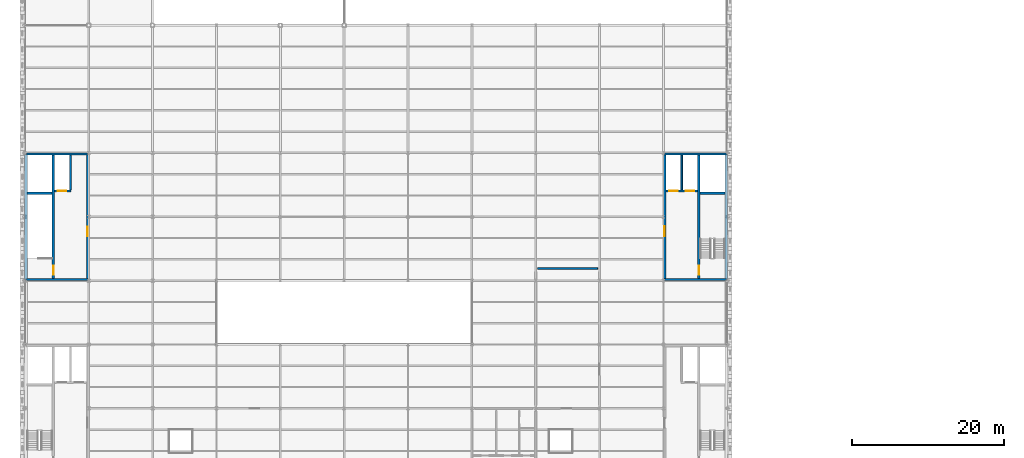
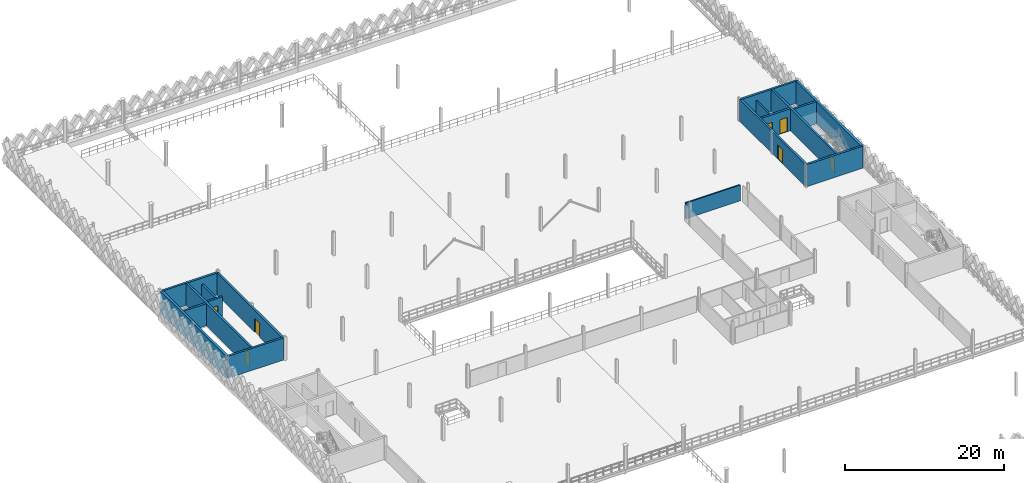
# One storey, part 41 of 47: 17 walls, 7 doors, 7 openings.
"""IFC4 building model written with IfcOpenShell, lengths in metres."""

from ifc_helpers import new_model, si_unit, direction, frame, frame_2d, origin, place, context, subcontext, project, spatial, rectangle, extrude, material, layer, layer_set, type_object, element, fill, save


model = new_model("IFC4")

# Units and contexts
model_context = context("Model", 3, precision=1e-05, world=origin(), true_north=direction((0.0, 1.0)))
body_context = subcontext(model_context, "Body", "Model", "MODEL_VIEW")
ifc_project = project(units=[si_unit("LENGTHUNIT", "METRE"), si_unit("AREAUNIT", "SQUARE_METRE"), si_unit("VOLUMEUNIT", "CUBIC_METRE"), si_unit("PLANEANGLEUNIT", "RADIAN"), si_unit("MASSUNIT", "GRAM", prefix="KILO"), si_unit("THERMODYNAMICTEMPERATUREUNIT", "KELVIN"), si_unit("POWERUNIT", "WATT")], contexts=[model_context])

# Site, building, storey
site_placement = place(None, origin())
site = spatial("IfcSite", under=ifc_project, at=site_placement, CompositionType="ELEMENT")
building_placement = place(site_placement, origin())
building = spatial("IfcBuilding", under=site, at=building_placement, Name="Tembeka Court Mobility Hub", CompositionType="ELEMENT")
storey_placement = place(building_placement, frame((0.0, 0.0, 19.800048828125)))
storey = spatial("IfcBuildingStorey", under=building, at=storey_placement, Name="L05", CompositionType="ELEMENT", Elevation=19.800048828125)

# Walls
ifc_material_1 = material(Name="Concrete C40/50", Category="concrete")
ifc_layer_1 = layer(ifc_material_1, 0.25)
ifc_layer_set_1 = layer_set([ifc_layer_1], Name="Concrete C40/50")
wall_type_1 = type_object("IfcWallType", Name="WL-IW01", PredefinedType="PARTITIONING", material=ifc_layer_set_1)
for number, where, z_axis, x_axis, name in (
    (1, (86.39990234375, 75.550048828125, 0.0), (0.0, 0.0, 1.0), (0.0, 1.0, 0.0), "Wall IW01 (IW-L05-0120)"),
    (2, (6.0, 75.550048828125, 0.0), (0.0, 0.0, 1.0), (0.0, 1.0, 0.0), "Wall IW01 (IW-L05-0184)"),
):
    element("IfcWall", number, at=place(storey_placement, frame(where, z_axis=z_axis, x_axis=x_axis)), inside=storey, type_object=wall_type_1, Name=name, PredefinedType="PARTITIONING", context=body_context, shape_type="SweptSolid", body=[
        extrude(rectangle(XDim=4.550048828125, YDim=0.25, at=frame_2d((2.27490234375, 0.0))), origin(), (0.0, 0.0, 1.0), 2.425048828125),
    ])
ifc_material_2 = material(Name="Concrete blockwork masonry", Category="masonry")
ifc_layer_2 = layer(ifc_material_2, 0.199951171875)
ifc_layer_set_2 = layer_set([ifc_layer_2], Name="Concrete blockwork masonry")
wall_type_2 = type_object("IfcWallType", Name="WL-IW02", PredefinedType="PARTITIONING", material=ifc_layer_set_2)
wall_1_placement = place(storey_placement, frame((67.449951171875, 65.199951171875, 0.0), z_axis=(0.0, 0.0, 1.0), x_axis=(1.0, 0.0, 0.0)))
element("IfcWall", 3, at=wall_1_placement, inside=storey, type_object=wall_type_2, Name="Wall IW02 (IW-L05-0453)", PredefinedType="PARTITIONING", context=body_context, shape_type="SweptSolid", body=[
    extrude(rectangle(XDim=7.900146484375, YDim=0.199951171875, at=frame_2d((3.9501953125, 0.0))), origin(), (0.0, 0.0, 1.0), 2.425048828125),
])
ifc_layer_3 = layer(ifc_material_1, 0.300048828125)
ifc_layer_set_3 = layer_set([ifc_layer_3], Name="Concrete C40/50")
wall_type_3 = type_object("IfcWallType", Name="WL-SW01", PredefinedType="SHEAR", material=ifc_layer_set_3)
for number, where, z_axis, x_axis, name in (
    (4, (84.152587890625, 63.75, 0.0), (0.0, 0.0, 1.0), (1.0, 0.0, 0.0), "Wall SW01 (IW-L05-0113)"),
    (5, (84.152587890625, 80.25, 0.0), (0.0, 0.0, 1.0), (1.0, 0.0, 0.0), "Wall SW01 (IW-L05-0114)"),
):
    element("IfcWall", number, at=place(storey_placement, frame(where, z_axis=z_axis, x_axis=x_axis)), inside=storey, type_object=wall_type_3, Name=name, PredefinedType="SHEAR", context=body_context, shape_type="SweptSolid", body=[
        extrude(rectangle(XDim=8.121337890625, YDim=0.300048828125, at=frame_2d((4.060546875, 0.0))), origin(), (0.0, 0.0, 1.0), 3.3798828125),
    ])
wall_2_placement = place(storey_placement, frame((88.800048828125, 75.10009765625, 0.0), z_axis=(0.0, 0.0, 1.0), x_axis=(1.0, 0.0, 0.0)))
element("IfcWall", 6, at=wall_2_placement, inside=storey, type_object=wall_type_3, Name="Wall SW01 (IW-L05-0115)", PredefinedType="SHEAR", context=body_context, shape_type="SweptSolid", body=[
    extrude(rectangle(XDim=3.300048828125, YDim=0.300048828125, at=frame_2d((1.64990234375, 0.0))), origin(), (0.0, 0.0, 1.0), 3.3798828125),
])

# Wall, opening, door
wall_3_placement = place(storey_placement, frame((84.14990234375, 63.758544921875, 0.0), z_axis=(0.0, 0.0, 1.0), x_axis=(0.0, 1.0, 0.0)))
wall_3 = element("IfcWall", 7, at=wall_3_placement, inside=storey, type_object=wall_type_3, Name="Wall SW01 (IW-L05-0117)", PredefinedType="SHEAR", context=body_context, shape_type="SweptSolid", body=[
    extrude(rectangle(XDim=16.48291015625, YDim=0.300048828125, at=frame_2d((8.241455078125, 0.0))), origin(), (0.0, 0.0, 1.0), 3.3798828125),
])
opening_1_placement = place(wall_3_placement, frame((5.69140625, 0.0, 0.0)))
opening_1 = element("IfcOpeningElement", 8, at=opening_1_placement, cuts=wall_3, Name="Opening FD02", PredefinedType="OPENING", context=body_context, shape_type="SweptSolid", body=[
    extrude(rectangle(XDim=1.300048828125, YDim=2.199951171875, at=frame_2d((0.64990234375, 1.10009765625))), frame((0.0, 0.16015625, 0.0), z_axis=(0.0, -1.0, 0.0), x_axis=(1.0, 0.0, 0.0)), (0.0, 0.0, 1.0), 0.320068359375),
])
ifc_material_3 = material(Name="Galvanised steel fire/shutter doorset", Category="steel")
door_type_1 = type_object("IfcDoorType", Name="DR-FD02", OperationType="NOTDEFINED", PredefinedType="DOOR", material=ifc_material_3)
door_1_placement = place(opening_1_placement, origin())
door_1 = element("IfcDoor", 9, at=door_1_placement, inside=storey, type_object=door_type_1, Name="Door FD02-0059", OperationType="SINGLE_SWING_RIGHT", OverallHeight=2.199951171875, OverallWidth=1.300048828125, PredefinedType="DOOR", context=body_context, shape_type="SweptSolid", body=[
    extrude(rectangle(XDim=1.300048828125, YDim=2.199951171875, at=frame_2d((0.64990234375, 1.10009765625))), frame((0.0, 0.02490234375, 0.0), z_axis=(0.0, -1.0, 0.0), x_axis=(1.0, 0.0, 0.0)), (0.0, 0.0, 1.0), 0.050048828125),
])
fill(opening_1, door_1)

wall_4_placement = place(storey_placement, frame((88.64990234375, 63.89990234375, 0.0), z_axis=(0.0, 0.0, 1.0), x_axis=(0.0, 1.0, 0.0)))
wall_4 = element("IfcWall", 10, at=wall_4_placement, inside=storey, type_object=wall_type_3, Name="Wall SW01 (IW-L05-0118)", PredefinedType="SHEAR", context=body_context, shape_type="SweptSolid", body=[
    extrude(rectangle(XDim=16.2001953125, YDim=0.300048828125, at=frame_2d((8.10009765625, 0.0))), origin(), (0.0, 0.0, 1.0), 3.3798828125),
])
opening_2_placement = place(wall_4_placement, frame((0.5, 0.0, 0.0)))
opening_2 = element("IfcOpeningElement", 11, at=opening_2_placement, cuts=wall_4, Name="Opening FD03", PredefinedType="OPENING", context=body_context, shape_type="SweptSolid", body=[
    extrude(rectangle(XDim=1.14990234375, YDim=2.14990234375, at=frame_2d((0.574951171875, 1.074951171875))), frame((0.0, 0.16015625, 0.0), z_axis=(0.0, -1.0, 0.0), x_axis=(1.0, 0.0, 0.0)), (0.0, 0.0, 1.0), 0.320068359375),
])
door_type_2 = type_object("IfcDoorType", Name="DR-FD03", OperationType="NOTDEFINED", PredefinedType="DOOR", material=ifc_material_3)
door_2_placement = place(opening_2_placement, origin())
door_2 = element("IfcDoor", 12, at=door_2_placement, inside=storey, type_object=door_type_2, Name="Door FD03-0060", OperationType="SINGLE_SWING_RIGHT", OverallHeight=2.14990234375, OverallWidth=1.14990234375, PredefinedType="DOOR", context=body_context, shape_type="SweptSolid", body=[
    extrude(rectangle(XDim=1.14990234375, YDim=2.14990234375, at=frame_2d((0.574951171875, 1.074951171875))), frame((0.0, 0.02490234375, 0.0), z_axis=(0.0, -1.0, 0.0), x_axis=(1.0, 0.0, 0.0)), (0.0, 0.0, 1.0), 0.050048828125),
])
fill(opening_2, door_2)

# Wall, openings, doors
wall_5_placement = place(storey_placement, frame((84.300048828125, 75.39990234375, 0.0), z_axis=(0.0, 0.0, 1.0), x_axis=(1.0, 0.0, 0.0)))
wall_5 = element("IfcWall", 13, at=wall_5_placement, inside=storey, type_object=wall_type_3, Name="Wall SW01 (IW-L05-0119)", PredefinedType="SHEAR", context=body_context, shape_type="SweptSolid", body=[
    extrude(rectangle(XDim=4.199951171875, YDim=0.300048828125, at=frame_2d((2.10009765625, 0.0))), origin(), (0.0, 0.0, 1.0), 3.3798828125),
])
opening_3_placement = place(wall_5_placement, frame((0.449951171875, 0.0, 0.0)))
opening_3 = element("IfcOpeningElement", 14, at=opening_3_placement, cuts=wall_5, Name="Opening LD01", PredefinedType="OPENING", context=body_context, shape_type="SweptSolid", body=[
    extrude(rectangle(XDim=1.10009765625, YDim=2.199951171875, at=frame_2d((0.550048828125, 1.10009765625))), frame((0.0, 0.16015625, 0.0), z_axis=(0.0, -1.0, 0.0), x_axis=(1.0, 0.0, 0.0)), (0.0, 0.0, 1.0), 0.320068359375),
])
opening_4_placement = place(wall_5_placement, frame((2.64990234375, 0.0, 0.0)))
opening_4 = element("IfcOpeningElement", 15, at=opening_4_placement, cuts=wall_5, Name="Opening LD01", PredefinedType="OPENING", context=body_context, shape_type="SweptSolid", body=[
    extrude(rectangle(XDim=1.10009765625, YDim=2.199951171875, at=frame_2d((0.550048828125, 1.10009765625))), frame((0.0, 0.16015625, 0.0), z_axis=(0.0, -1.0, 0.0), x_axis=(1.0, 0.0, 0.0)), (0.0, 0.0, 1.0), 0.320068359375),
])
door_type_3 = type_object("IfcDoorType", Name="DR-LD01", OperationType="SLIDING_TO_LEFT", PredefinedType="DOOR", material=ifc_material_3)
door_3_placement = place(opening_3_placement, origin())
door_3 = element("IfcDoor", 16, at=door_3_placement, inside=storey, type_object=door_type_3, Name="Lift LF02 landing door L05", OperationType="SLIDING_TO_LEFT", OverallHeight=2.199951171875, OverallWidth=1.10009765625, PredefinedType="DOOR", context=body_context, shape_type="SweptSolid", body=[
    extrude(rectangle(XDim=1.10009765625, YDim=2.199951171875, at=frame_2d((0.550048828125, 1.10009765625))), frame((0.0, 0.02490234375, 0.0), z_axis=(0.0, -1.0, 0.0), x_axis=(1.0, 0.0, 0.0)), (0.0, 0.0, 1.0), 0.050048828125),
])
fill(opening_3, door_3)
door_4_placement = place(opening_4_placement, origin())
door_4 = element("IfcDoor", 17, at=door_4_placement, inside=storey, type_object=door_type_3, Name="Lift LF04 landing door L05", OperationType="SLIDING_TO_LEFT", OverallHeight=2.199951171875, OverallWidth=1.10009765625, PredefinedType="DOOR", context=body_context, shape_type="SweptSolid", body=[
    extrude(rectangle(XDim=1.10009765625, YDim=2.199951171875, at=frame_2d((0.550048828125, 1.10009765625))), frame((0.0, 0.02490234375, 0.0), z_axis=(0.0, -1.0, 0.0), x_axis=(1.0, 0.0, 0.0)), (0.0, 0.0, 1.0), 0.050048828125),
])
fill(opening_4, door_4)

# Walls
for number, where, z_axis, x_axis, name in (
    (18, (0.1845703125, 63.75, 0.0), (0.0, 0.0, 1.0), (1.0, 0.0, 0.0), "Wall SW01 (IW-L05-0177)"),
    (19, (0.1845703125, 80.25, 0.0), (0.0, 0.0, 1.0), (1.0, 0.0, 0.0), "Wall SW01 (IW-L05-0178)"),
):
    element("IfcWall", number, at=place(storey_placement, frame(where, z_axis=z_axis, x_axis=x_axis)), inside=storey, type_object=wall_type_3, Name=name, PredefinedType="SHEAR", context=body_context, shape_type="SweptSolid", body=[
        extrude(rectangle(XDim=8.031005859375, YDim=0.300048828125, at=frame_2d((4.015625, 0.0))), origin(), (0.0, 0.0, 1.0), 3.3798828125),
    ])
wall_6_placement = place(storey_placement, frame((0.300048828125, 75.10009765625, 0.0), z_axis=(0.0, 0.0, 1.0), x_axis=(1.0, 0.0, 0.0)))
element("IfcWall", 20, at=wall_6_placement, inside=storey, type_object=wall_type_3, Name="Wall SW01 (IW-L05-0179)", PredefinedType="SHEAR", context=body_context, shape_type="SweptSolid", body=[
    extrude(rectangle(XDim=3.300048828125, YDim=0.300048828125, at=frame_2d((1.64990234375, 0.0))), origin(), (0.0, 0.0, 1.0), 3.3798828125),
])

# Wall, opening, door
wall_7_placement = place(storey_placement, frame((8.25, 63.781982421875, 0.0), z_axis=(0.0, 0.0, 1.0), x_axis=(0.0, 1.0, 0.0)))
wall_7 = element("IfcWall", 21, at=wall_7_placement, inside=storey, type_object=wall_type_3, Name="Wall SW01 (IW-L05-0181)", PredefinedType="SHEAR", context=body_context, shape_type="SweptSolid", body=[
    extrude(rectangle(XDim=16.43603515625, YDim=0.300048828125, at=frame_2d((8.218017578125, 0.0))), origin(), (0.0, 0.0, 1.0), 3.3798828125),
])
opening_5_placement = place(wall_7_placement, frame((5.66796875, 0.0, 0.0)))
opening_5 = element("IfcOpeningElement", 22, at=opening_5_placement, cuts=wall_7, Name="Opening FD01", PredefinedType="OPENING", context=body_context, shape_type="SweptSolid", body=[
    extrude(rectangle(XDim=1.25, YDim=2.14990234375, at=frame_2d((0.625, 1.074951171875))), frame((0.0, 0.16015625, 0.0), z_axis=(0.0, -1.0, 0.0), x_axis=(1.0, 0.0, 0.0)), (0.0, 0.0, 1.0), 0.320068359375),
])
door_type_4 = type_object("IfcDoorType", Name="DR-FD01", OperationType="NOTDEFINED", PredefinedType="DOOR", material=ifc_material_3)
door_5_placement = place(opening_5_placement, origin())
door_5 = element("IfcDoor", 23, at=door_5_placement, inside=storey, type_object=door_type_4, Name="Door FD01-0086", OperationType="SINGLE_SWING_RIGHT", OverallHeight=2.14990234375, OverallWidth=1.25, PredefinedType="DOOR", context=body_context, shape_type="SweptSolid", body=[
    extrude(rectangle(XDim=1.25, YDim=2.14990234375, at=frame_2d((0.625, 1.074951171875))), frame((0.0, 0.02490234375, 0.0), z_axis=(0.0, -1.0, 0.0), x_axis=(1.0, 0.0, 0.0)), (0.0, 0.0, 1.0), 0.050048828125),
])
fill(opening_5, door_5)

wall_8_placement = place(storey_placement, frame((3.75, 63.89990234375, 0.0), z_axis=(0.0, 0.0, 1.0), x_axis=(0.0, 1.0, 0.0)))
wall_8 = element("IfcWall", 24, at=wall_8_placement, inside=storey, type_object=wall_type_3, Name="Wall SW01 (IW-L05-0182)", PredefinedType="SHEAR", context=body_context, shape_type="SweptSolid", body=[
    extrude(rectangle(XDim=16.2001953125, YDim=0.300048828125, at=frame_2d((8.10009765625, 0.0))), origin(), (0.0, 0.0, 1.0), 3.3798828125),
])
opening_6_placement = place(wall_8_placement, frame((0.5, 0.0, 0.0)))
opening_6 = element("IfcOpeningElement", 25, at=opening_6_placement, cuts=wall_8, Name="Opening FD03", PredefinedType="OPENING", context=body_context, shape_type="SweptSolid", body=[
    extrude(rectangle(XDim=1.14990234375, YDim=2.14990234375, at=frame_2d((0.574951171875, 1.074951171875))), frame((0.0, 0.16015625, 0.0), z_axis=(0.0, -1.0, 0.0), x_axis=(1.0, 0.0, 0.0)), (0.0, 0.0, 1.0), 0.320068359375),
])
door_6_placement = place(opening_6_placement, frame((1.14990234375, 0.0, 0.0), z_axis=(0.0, 0.0, 1.0), x_axis=(-1.0, 0.0, 0.0)))
door_6 = element("IfcDoor", 26, at=door_6_placement, inside=storey, type_object=door_type_2, Name="Door FD03-0087", OperationType="SINGLE_SWING_LEFT", OverallHeight=2.14990234375, OverallWidth=1.14990234375, PredefinedType="DOOR", context=body_context, shape_type="SweptSolid", body=[
    extrude(rectangle(XDim=1.14990234375, YDim=2.14990234375, at=frame_2d((0.574951171875, 1.074951171875))), frame((0.0, 0.02490234375, 0.0), z_axis=(0.0, -1.0, 0.0), x_axis=(1.0, 0.0, 0.0)), (0.0, 0.0, 1.0), 0.050048828125),
])
fill(opening_6, door_6)

wall_9_placement = place(storey_placement, frame((3.89990234375, 75.39990234375, 0.0), z_axis=(0.0, 0.0, 1.0), x_axis=(1.0, 0.0, 0.0)))
wall_9 = element("IfcWall", 27, at=wall_9_placement, inside=storey, type_object=wall_type_3, Name="Wall SW01 (IW-L05-0183)", PredefinedType="SHEAR", context=body_context, shape_type="SweptSolid", body=[
    extrude(rectangle(XDim=2.2001953125, YDim=0.300048828125, at=frame_2d((1.10009765625, 0.0))), origin(), (0.0, 0.0, 1.0), 3.3798828125),
])
opening_7_placement = place(wall_9_placement, frame((0.449951171875, 0.0, 0.0)))
opening_7 = element("IfcOpeningElement", 28, at=opening_7_placement, cuts=wall_9, Name="Opening LD01", PredefinedType="OPENING", context=body_context, shape_type="SweptSolid", body=[
    extrude(rectangle(XDim=1.10009765625, YDim=2.199951171875, at=frame_2d((0.550048828125, 1.10009765625))), frame((0.0, 0.16015625, 0.0), z_axis=(0.0, -1.0, 0.0), x_axis=(1.0, 0.0, 0.0)), (0.0, 0.0, 1.0), 0.320068359375),
])
door_7_placement = place(opening_7_placement, origin())
door_7 = element("IfcDoor", 29, at=door_7_placement, inside=storey, type_object=door_type_3, Name="Lift LF05 landing door L05", OperationType="SLIDING_TO_LEFT", OverallHeight=2.199951171875, OverallWidth=1.10009765625, PredefinedType="DOOR", context=body_context, shape_type="SweptSolid", body=[
    extrude(rectangle(XDim=1.10009765625, YDim=2.199951171875, at=frame_2d((0.550048828125, 1.10009765625))), frame((0.0, 0.02490234375, 0.0), z_axis=(0.0, -1.0, 0.0), x_axis=(1.0, 0.0, 0.0)), (0.0, 0.0, 1.0), 0.050048828125),
])
fill(opening_7, door_7)

# Walls
ifc_layer_4 = layer(ifc_material_1, 0.35009765625)
ifc_layer_set_4 = layer_set([ifc_layer_4], Name="Concrete C40/50")
wall_type_4 = type_object("IfcWallType", Name="WL-SW02", PredefinedType="SHEAR", material=ifc_layer_set_4)
wall_10_placement = place(storey_placement, frame((92.25, 63.72802734375, 0.0), z_axis=(0.0, 0.0, 1.0), x_axis=(0.0, 1.0, 0.0)))
element("IfcWall", 30, at=wall_10_placement, inside=storey, type_object=wall_type_4, Name="Wall SW02 (IW-L05-0116)", PredefinedType="SHEAR", context=body_context, shape_type="SweptSolid", body=[
    extrude(rectangle(XDim=16.5439453125, YDim=0.35009765625, at=frame_2d((8.27197265625, 0.0))), origin(), (0.0, 0.0, 1.0), 3.3798828125),
])
wall_11_placement = place(storey_placement, frame((0.14990234375, 63.781982421875, 0.0), z_axis=(0.0, 0.0, 1.0), x_axis=(0.0, 1.0, 0.0)))
element("IfcWall", 31, at=wall_11_placement, inside=storey, type_object=wall_type_4, Name="Wall SW02 (IW-L05-0180)", PredefinedType="SHEAR", context=body_context, shape_type="SweptSolid", body=[
    extrude(rectangle(XDim=16.43603515625, YDim=0.35009765625, at=frame_2d((8.218017578125, 0.0))), origin(), (0.0, 0.0, 1.0), 3.3798828125),
])

save(model, "model.ifc")
